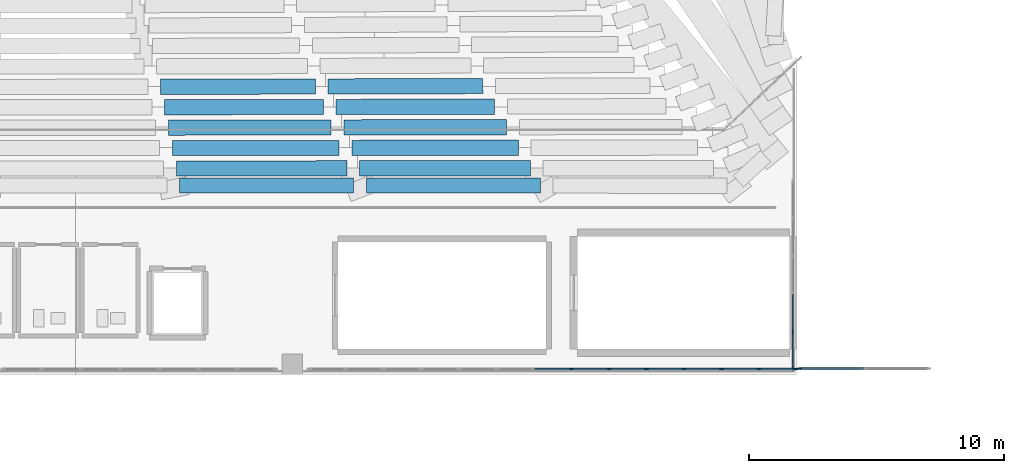
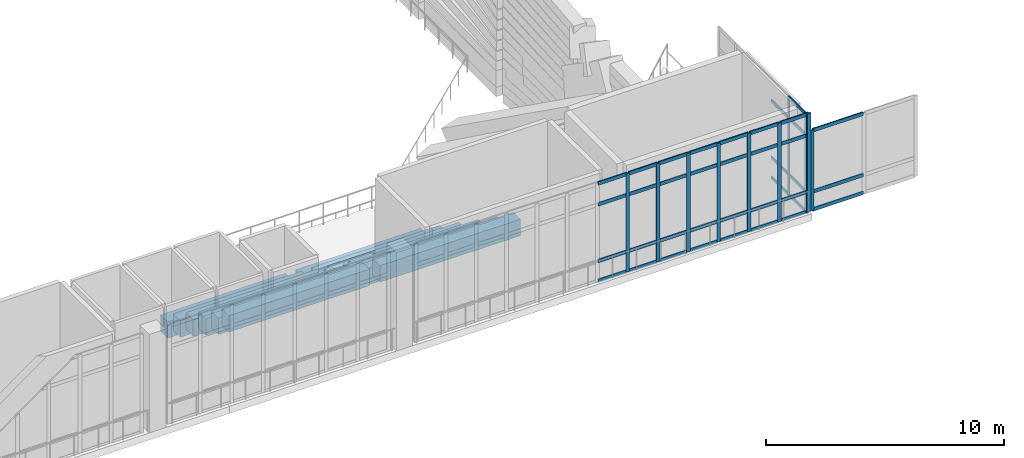
# One storey, part 13 of 55: 48 members, 12 beams, 3 elements without a shape of their own.
"""IFC4 building model written with IfcOpenShell, lengths in metres."""

from ifc_helpers import new_model, si_unit, derived_unit, direction, frame, origin, origin_2d, place, context, subcontext, project, spatial, rectangle, extrude, material, layer, layer_set, material_profile, profile_set, type_object, element, aggregate, save


model = new_model("IFC4")

# Units and contexts
model_context = context("Model", 3, precision=1e-05, world=origin(), true_north=direction((0.0, 1.0)))
body_context = subcontext(model_context, "Body", "Model", "MODEL_VIEW")
ifc_project = project(units=[si_unit("LENGTHUNIT", "METRE"), si_unit("AREAUNIT", "SQUARE_METRE"), si_unit("VOLUMEUNIT", "CUBIC_METRE"), si_unit("PLANEANGLEUNIT", "RADIAN"), si_unit("MASSUNIT", "GRAM", prefix="KILO"), derived_unit("THERMALTRANSMITTANCEUNIT", [(si_unit("MASSUNIT", "GRAM", prefix="KILO"), 1), (si_unit("TIMEUNIT", "SECOND"), -3), (si_unit("THERMODYNAMICTEMPERATUREUNIT", "KELVIN"), -1)])], contexts=[model_context])

# Site, building, storey
site_placement = place(None, origin())
site = spatial("IfcSite", under=ifc_project, at=site_placement, CompositionType="ELEMENT")
building_placement = place(site_placement, origin())
building = spatial("IfcBuilding", under=site, at=building_placement, Name="Valcora Ridge Arena", CompositionType="ELEMENT")
storey_placement = place(building_placement, frame((0.0, 0.0, 21.0)))
storey = spatial("IfcBuildingStorey", under=building, at=storey_placement, Name="L04", CompositionType="ELEMENT", Elevation=21.0)

# Beams
ifc_material_1 = material(Name="Concrete C40/50", Category="concrete")
ifc_material_profile_1 = material_profile(ifc_material_1, rectangle(XDim=0.60009765625, YDim=0.85009765625, at=origin_2d()), Name="RC 600x850")
ifc_profile_set_1 = profile_set([ifc_material_profile_1], Name="Concrete C40/50")
beam_type = type_object("IfcBeamType", Name="TY-BEAM-B-RC600-X", PredefinedType="BEAM", material=ifc_profile_set_1)
beam_1_placement = place(storey_placement, frame((64.831298828125, 31.28564453125, -3.905029296875), z_axis=(0.999997982127, 0.002008915549, 0.0), x_axis=(-0.002008915549, 0.999997982127, 0.0)))
element("IfcBeam", 1, at=beam_1_placement, inside=storey, type_object=beam_type, Name="B-RC600-X BEM-RU3-B-RC600-X-0373", PredefinedType="BEAM", context=body_context, shape_type="SweptSolid", body=[
    extrude(rectangle(XDim=0.60009765625, YDim=0.85009765625, at=origin_2d()), origin(), (0.0, 0.0, 1.0), 6.076416015625),
])
beam_2_placement = place(storey_placement, frame((71.40771484375, 31.299072265625, -3.905029296875), z_axis=(0.999996581566, 0.002614738236, 0.0), x_axis=(-0.002614738236, 0.999996581566, 0.0)))
element("IfcBeam", 2, at=beam_2_placement, inside=storey, type_object=beam_type, Name="B-RC600-X BEM-RU3-B-RC600-X-0374", PredefinedType="BEAM", context=body_context, shape_type="SweptSolid", body=[
    extrude(rectangle(XDim=0.60009765625, YDim=0.85009765625, at=origin_2d()), origin(), (0.0, 0.0, 1.0), 6.069091796875),
])
beam_3_placement = place(storey_placement, frame((64.98583984375, 30.484619140625, -3.425048828125), z_axis=(0.999998772211, 0.001567027771, 0.0), x_axis=(-0.001567027771, 0.999998772211, 0.0)))
element("IfcBeam", 3, at=beam_3_placement, inside=storey, type_object=beam_type, Name="B-RC600-X BEM-RU3-B-RC600-X-0403", PredefinedType="BEAM", context=body_context, shape_type="SweptSolid", body=[
    extrude(rectangle(XDim=0.60009765625, YDim=0.85009765625, at=origin_2d()), origin(), (0.0, 0.0, 1.0), 6.23193359375),
])
beam_4_placement = place(storey_placement, frame((71.7177734375, 30.4951171875, -3.425048828125), z_axis=(0.999997920969, 0.002039131481, 0.0), x_axis=(-0.002039131481, 0.999997920969, 0.0)))
element("IfcBeam", 4, at=beam_4_placement, inside=storey, type_object=beam_type, Name="B-RC600-X BEM-RU3-B-RC600-X-0404", PredefinedType="BEAM", context=body_context, shape_type="SweptSolid", body=[
    extrude(rectangle(XDim=0.60009765625, YDim=0.85009765625, at=origin_2d()), origin(), (0.0, 0.0, 1.0), 6.225830078125),
])
beam_5_placement = place(storey_placement, frame((65.140380859375, 29.683349609375, -2.945068359375), z_axis=(0.999999342589, 0.00114665674, 0.0), x_axis=(-0.00114665674, 0.999999342589, 0.0)))
element("IfcBeam", 5, at=beam_5_placement, inside=storey, type_object=beam_type, Name="B-RC600-X BEM-RU3-B-RC600-X-0435", PredefinedType="BEAM", context=body_context, shape_type="SweptSolid", body=[
    extrude(rectangle(XDim=0.60009765625, YDim=0.85009765625, at=origin_2d()), origin(), (0.0, 0.0, 1.0), 6.387451171875),
])
beam_6_placement = place(storey_placement, frame((72.02783203125, 29.69140625, -2.945068359375), z_axis=(0.999998887361, 0.001491736406, 0.0), x_axis=(-0.001491736406, 0.999998887361, 0.0)))
element("IfcBeam", 6, at=beam_6_placement, inside=storey, type_object=beam_type, Name="B-RC600-X BEM-RU3-B-RC600-X-0436", PredefinedType="BEAM", context=body_context, shape_type="SweptSolid", body=[
    extrude(rectangle(XDim=0.60009765625, YDim=0.85009765625, at=origin_2d()), origin(), (0.0, 0.0, 1.0), 6.3828125),
])
beam_7_placement = place(storey_placement, frame((65.294921875, 28.882080078125, -2.465087890625), z_axis=(0.999999693, 0.000783581849, 0.0), x_axis=(-0.000783581849, 0.999999693, 0.0)))
element("IfcBeam", 7, at=beam_7_placement, inside=storey, type_object=beam_type, Name="B-RC600-X BEM-RU3-B-RC600-X-0467", PredefinedType="BEAM", context=body_context, shape_type="SweptSolid", body=[
    extrude(rectangle(XDim=0.60009765625, YDim=0.85009765625, at=origin_2d()), origin(), (0.0, 0.0, 1.0), 6.54296875),
])
beam_8_placement = place(storey_placement, frame((72.337890625, 28.887451171875, -2.465087890625), z_axis=(0.999999528949, 0.00097061962, 0.0), x_axis=(-0.00097061962, 0.999999528949, 0.0)))
element("IfcBeam", 8, at=beam_8_placement, inside=storey, type_object=beam_type, Name="B-RC600-X BEM-RU3-B-RC600-X-0468", PredefinedType="BEAM", context=body_context, shape_type="SweptSolid", body=[
    extrude(rectangle(XDim=0.60009765625, YDim=0.85009765625, at=origin_2d()), origin(), (0.0, 0.0, 1.0), 6.539794921875),
])
beam_9_placement = place(storey_placement, frame((65.449462890625, 28.0810546875, -1.985107421875), z_axis=(0.999999933575, 0.000364484595, 0.0), x_axis=(-0.000364484595, 0.999999933575, 0.0)))
element("IfcBeam", 9, at=beam_9_placement, inside=storey, type_object=beam_type, Name="B-RC600-X BEM-RU3-B-RC600-X-0499", PredefinedType="BEAM", context=body_context, shape_type="SweptSolid", body=[
    extrude(rectangle(XDim=0.60009765625, YDim=0.85009765625, at=origin_2d()), origin(), (0.0, 0.0, 1.0), 6.6982421875),
])
beam_10_placement = place(storey_placement, frame((72.647705078125, 28.083740234375, -1.985107421875), z_axis=(0.999999887702, 0.000473916319, 0.0), x_axis=(-0.000473916319, 0.999999887702, 0.0)))
element("IfcBeam", 10, at=beam_10_placement, inside=storey, type_object=beam_type, Name="B-RC600-X BEM-RU3-B-RC600-X-0500", PredefinedType="BEAM", context=body_context, shape_type="SweptSolid", body=[
    extrude(rectangle(XDim=0.60009765625, YDim=0.85009765625, at=origin_2d()), origin(), (0.0, 0.0, 1.0), 6.697021484375),
])
beam_11_placement = place(storey_placement, frame((65.578125, 27.41357421875, -1.5048828125), z_axis=(0.999999959099, -0.000286010499, 0.0), x_axis=(0.000286010499, 0.999999959099, 0.0)))
element("IfcBeam", 11, at=beam_11_placement, inside=storey, type_object=beam_type, Name="B-RC600-X BEM-RU3-B-RC600-X-0531", PredefinedType="BEAM", context=body_context, shape_type="SweptSolid", body=[
    extrude(rectangle(XDim=0.60009765625, YDim=0.85009765625, at=origin_2d()), origin(), (0.0, 0.0, 1.0), 6.828857421875),
])
beam_12_placement = place(storey_placement, frame((72.906982421875, 27.411376953125, -1.5048828125), z_axis=(0.999999922705, -0.000393180082, 0.0), x_axis=(0.000393180082, 0.999999922705, 0.0)))
element("IfcBeam", 12, at=beam_12_placement, inside=storey, type_object=beam_type, Name="B-RC600-X BEM-RU3-B-RC600-X-0532", PredefinedType="BEAM", context=body_context, shape_type="SweptSolid", body=[
    extrude(rectangle(XDim=0.60009765625, YDim=0.85009765625, at=origin_2d()), origin(), (0.0, 0.0, 1.0), 6.830322265625),
])

# Curtain wall, members
ifc_material_2 = material(Name="Anodised dark bronze architectural aluminium 6063-T6", Category="aluminium")
ifc_layer_1 = layer(ifc_material_2, 0.14990234375, Name="Anodised dark bronze architectural aluminium 6063-T6")
ifc_layer_set_1 = layer_set([ifc_layer_1], Name="Anodised dark bronze architectural aluminium 6063-T6")
curtain_wall_type_1 = type_object("IfcCurtainWallType", Name="TY-CURTAINWALL-CW-V1-EAST-074X51", PredefinedType="NOTDEFINED", material=ifc_layer_set_1)
curtain_wall_1_placement = place(storey_placement, origin())
curtain_wall_1 = element("IfcCurtainWall", 13, at=curtain_wall_1_placement, inside=storey, type_object=curtain_wall_type_1, Name="CW-V1-EAST-074X51 CW-0161", PredefinedType="NOTDEFINED")
ifc_material_profile_2 = material_profile(ifc_material_2, rectangle(XDim=0.050048828125, YDim=0.14990234375, at=origin_2d()), Name="ALU MULLION 50x150")
ifc_profile_set_2 = profile_set([ifc_material_profile_2], Name="Anodised dark bronze architectural aluminium 6063-T6")
member_type_1 = type_object("IfcMemberType", Name="TY-MEM-CWM-50x150", PredefinedType="MULLION", material=ifc_profile_set_2)
member_1_placement = place(storey_placement, frame((89.64990234375, 20.22509765625, 0.0), z_axis=(0.0, 0.0, 1.0), x_axis=(-1.0, 0.0, 0.0)))
member_1 = element("IfcMember", 14, at=member_1_placement, type_object=member_type_1, Name="CW-0161/CWM-50x150/M00", PredefinedType="MULLION", context=body_context, shape_type="SweptSolid", body=[
    extrude(rectangle(XDim=0.050048828125, YDim=0.14990234375, at=origin_2d()), origin(), (0.0, 0.0, 1.0), 5.06005859375),
])
member_2_placement = place(storey_placement, frame((89.64990234375, 21.679931640625, 0.0), z_axis=(0.0, 0.0, 1.0), x_axis=(-1.0, 0.0, 0.0)))
member_2 = element("IfcMember", 15, at=member_2_placement, type_object=member_type_1, Name="CW-0161/CWM-50x150/M01", PredefinedType="MULLION", context=body_context, shape_type="SweptSolid", body=[
    extrude(rectangle(XDim=0.050048828125, YDim=0.14990234375, at=origin_2d()), origin(), (0.0, 0.0, 1.0), 5.06005859375),
])

ifc_layer_2 = layer(ifc_material_2, 0.179931640625, Name="Anodised dark bronze architectural aluminium 6063-T6")
ifc_layer_set_2 = layer_set([ifc_layer_2], Name="Anodised dark bronze architectural aluminium 6063-T6")
curtain_wall_type_2 = type_object("IfcCurtainWallType", Name="TY-CURTAINWALL-CW-V1-GOTH-192X51", PredefinedType="NOTDEFINED", material=ifc_layer_set_2)
curtain_wall_2_placement = place(storey_placement, origin())
curtain_wall_2 = element("IfcCurtainWall", 16, at=curtain_wall_2_placement, inside=storey, type_object=curtain_wall_type_2, Name="CW-V1-GOTH-192X51 CW-0156", PredefinedType="NOTDEFINED")
ifc_material_profile_3 = material_profile(ifc_material_2, rectangle(XDim=0.06005859375, YDim=0.179931640625, at=origin_2d()), Name="ALU MULLION 60x180")
ifc_profile_set_3 = profile_set([ifc_material_profile_3], Name="Anodised dark bronze architectural aluminium 6063-T6")
member_type_2 = type_object("IfcMemberType", Name="TY-MEM-CWM-60x180", PredefinedType="MULLION", material=ifc_profile_set_3)
member_3_placement = place(storey_placement, frame((80.956787109375, 20.199951171875, 0.0), z_axis=(0.0, 0.0, 1.0), x_axis=(0.0, 1.0, 0.0)))
member_3 = element("IfcMember", 17, at=member_3_placement, type_object=member_type_2, Name="CW-0156/CWM-60x180/M07", PredefinedType="MULLION", context=body_context, shape_type="SweptSolid", body=[
    extrude(rectangle(XDim=0.06005859375, YDim=0.179931640625, at=origin_2d()), origin(), (0.0, 0.0, 1.0), 5.06005859375),
])
member_4_placement = place(storey_placement, frame((82.430908203125, 20.199951171875, 0.0), z_axis=(0.0, 0.0, 1.0), x_axis=(0.0, 1.0, 0.0)))
member_4 = element("IfcMember", 18, at=member_4_placement, type_object=member_type_2, Name="CW-0156/CWM-60x180/M08", PredefinedType="MULLION", context=body_context, shape_type="SweptSolid", body=[
    extrude(rectangle(XDim=0.06005859375, YDim=0.179931640625, at=origin_2d()), origin(), (0.0, 0.0, 1.0), 5.06005859375),
])
member_5_placement = place(storey_placement, frame((83.904541015625, 20.199951171875, 0.0), z_axis=(0.0, 0.0, 1.0), x_axis=(0.0, 1.0, 0.0)))
member_5 = element("IfcMember", 19, at=member_5_placement, type_object=member_type_2, Name="CW-0156/CWM-60x180/M09", PredefinedType="MULLION", context=body_context, shape_type="SweptSolid", body=[
    extrude(rectangle(XDim=0.06005859375, YDim=0.179931640625, at=origin_2d()), origin(), (0.0, 0.0, 1.0), 5.06005859375),
])
member_6_placement = place(storey_placement, frame((85.37841796875, 20.199951171875, 0.0), z_axis=(0.0, 0.0, 1.0), x_axis=(0.0, 1.0, 0.0)))
member_6 = element("IfcMember", 20, at=member_6_placement, type_object=member_type_2, Name="CW-0156/CWM-60x180/M10", PredefinedType="MULLION", context=body_context, shape_type="SweptSolid", body=[
    extrude(rectangle(XDim=0.06005859375, YDim=0.179931640625, at=origin_2d()), origin(), (0.0, 0.0, 1.0), 5.06005859375),
])
member_7_placement = place(storey_placement, frame((86.852294921875, 20.199951171875, 0.0), z_axis=(0.0, 0.0, 1.0), x_axis=(0.0, 1.0, 0.0)))
member_7 = element("IfcMember", 21, at=member_7_placement, type_object=member_type_2, Name="CW-0156/CWM-60x180/M11", PredefinedType="MULLION", context=body_context, shape_type="SweptSolid", body=[
    extrude(rectangle(XDim=0.06005859375, YDim=0.179931640625, at=origin_2d()), origin(), (0.0, 0.0, 1.0), 5.06005859375),
])
member_8_placement = place(storey_placement, frame((88.326171875, 20.199951171875, 0.0), z_axis=(0.0, 0.0, 1.0), x_axis=(0.0, 1.0, 0.0)))
member_8 = element("IfcMember", 22, at=member_8_placement, type_object=member_type_2, Name="CW-0156/CWM-60x180/M12", PredefinedType="MULLION", context=body_context, shape_type="SweptSolid", body=[
    extrude(rectangle(XDim=0.06005859375, YDim=0.179931640625, at=origin_2d()), origin(), (0.0, 0.0, 1.0), 5.06005859375),
])
member_9_placement = place(storey_placement, frame((89.77001953125, 20.199951171875, 0.0), z_axis=(0.0, 0.0, 1.0), x_axis=(0.0, 1.0, 0.0)))
member_9 = element("IfcMember", 23, at=member_9_placement, type_object=member_type_2, Name="CW-0156/CWM-60x180/M13", PredefinedType="MULLION", context=body_context, shape_type="SweptSolid", body=[
    extrude(rectangle(XDim=0.06005859375, YDim=0.179931640625, at=origin_2d()), origin(), (0.0, 0.0, 1.0), 5.06005859375),
])

# Curtain wall, member
ifc_layer_3 = layer(ifc_material_2, 0.179931640625, Name="Anodised dark bronze architectural aluminium 6063-T6")
ifc_layer_set_3 = layer_set([ifc_layer_3], Name="Anodised dark bronze architectural aluminium 6063-T6")
curtain_wall_type_3 = type_object("IfcCurtainWallType", Name="TY-CURTAINWALL-CW-V1-TYMPS-051X41", PredefinedType="NOTDEFINED", material=ifc_layer_set_3)
curtain_wall_3_placement = place(storey_placement, origin())
curtain_wall_3 = element("IfcCurtainWall", 24, at=curtain_wall_3_placement, inside=storey, type_object=curtain_wall_type_3, Name="CW-V1-TYMPS-051X41 CW-0180", PredefinedType="NOTDEFINED")
member_10_placement = place(storey_placement, frame((89.929931640625, 20.219970703125, 0.0), z_axis=(0.0, 0.0, 1.0), x_axis=(0.0, 1.0, 0.0)))
member_10 = element("IfcMember", 25, at=member_10_placement, type_object=member_type_2, Name="CW-0180/CWM-60x180/M00", PredefinedType="MULLION", context=body_context, shape_type="SweptSolid", body=[
    extrude(rectangle(XDim=0.06005859375, YDim=0.179931640625, at=origin_2d()), origin(), (0.0, 0.0, 1.0), 4.12548828125),
])

# Member
ifc_material_profile_4 = material_profile(ifc_material_2, rectangle(XDim=0.050048828125, YDim=0.14990234375, at=origin_2d()), Name="ALU TRANSOM 50x150")
ifc_profile_set_4 = profile_set([ifc_material_profile_4], Name="Anodised dark bronze architectural aluminium 6063-T6")
member_type_3 = type_object("IfcMemberType", Name="TY-MEM-CWT-50x150", PredefinedType="USERDEFINED", material=ifc_profile_set_4)
member_11_placement = place(storey_placement, frame((89.64990234375, 20.25, 0.02490234375), z_axis=(0.0, 1.0, 0.0), x_axis=(-1.0, 0.0, 0.0)))
member_11 = element("IfcMember", 26, at=member_11_placement, type_object=member_type_3, Name="CW-0161/CWT-50x150/T00-00", ObjectType="TRANSOM", PredefinedType="USERDEFINED", context=body_context, shape_type="SweptSolid", body=[
    extrude(rectangle(XDim=0.050048828125, YDim=0.14990234375, at=origin_2d()), origin(), (0.0, 0.0, 1.0), 1.405029296875),
])

member_12_placement = place(storey_placement, frame((89.64990234375, 20.25, 1.050048828125), z_axis=(0.0, 1.0, 0.0), x_axis=(-1.0, 0.0, 0.0)))
member_12 = element("IfcMember", 27, at=member_12_placement, type_object=member_type_3, Name="CW-0161/CWT-50x150/T00-01", ObjectType="TRANSOM", PredefinedType="USERDEFINED", context=body_context, shape_type="SweptSolid", body=[
    extrude(rectangle(XDim=0.050048828125, YDim=0.14990234375, at=origin_2d()), origin(), (0.0, 0.0, 1.0), 1.405029296875),
])

member_13_placement = place(storey_placement, frame((89.64990234375, 20.25, 3.9599609375), z_axis=(0.0, 1.0, 0.0), x_axis=(-1.0, 0.0, 0.0)))
member_13 = element("IfcMember", 28, at=member_13_placement, type_object=member_type_3, Name="CW-0161/CWT-50x150/T00-02", ObjectType="TRANSOM", PredefinedType="USERDEFINED", context=body_context, shape_type="SweptSolid", body=[
    extrude(rectangle(XDim=0.050048828125, YDim=0.14990234375, at=origin_2d()), origin(), (0.0, 0.0, 1.0), 1.405029296875),
])

member_14_placement = place(storey_placement, frame((89.64990234375, 20.25, 5.034912109375), z_axis=(0.0, 1.0, 0.0), x_axis=(-1.0, 0.0, 0.0)))
member_14 = element("IfcMember", 29, at=member_14_placement, type_object=member_type_3, Name="CW-0161/CWT-50x150/T00-03", ObjectType="TRANSOM", PredefinedType="USERDEFINED", context=body_context, shape_type="SweptSolid", body=[
    extrude(rectangle(XDim=0.050048828125, YDim=0.14990234375, at=origin_2d()), origin(), (0.0, 0.0, 1.0), 1.405029296875),
])

member_15_placement = place(storey_placement, frame((89.64990234375, 21.705078125, 0.02490234375), z_axis=(0.0, 1.0, 0.0), x_axis=(-1.0, 0.0, 0.0)))
member_15 = element("IfcMember", 30, at=member_15_placement, type_object=member_type_3, Name="CW-0161/CWT-50x150/T01-00", ObjectType="TRANSOM", PredefinedType="USERDEFINED", context=body_context, shape_type="SweptSolid", body=[
    extrude(rectangle(XDim=0.050048828125, YDim=0.14990234375, at=origin_2d()), origin(), (0.0, 0.0, 1.0), 1.429931640625),
])

member_16_placement = place(storey_placement, frame((89.64990234375, 21.705078125, 1.050048828125), z_axis=(0.0, 1.0, 0.0), x_axis=(-1.0, 0.0, 0.0)))
member_16 = element("IfcMember", 31, at=member_16_placement, type_object=member_type_3, Name="CW-0161/CWT-50x150/T01-01", ObjectType="TRANSOM", PredefinedType="USERDEFINED", context=body_context, shape_type="SweptSolid", body=[
    extrude(rectangle(XDim=0.050048828125, YDim=0.14990234375, at=origin_2d()), origin(), (0.0, 0.0, 1.0), 1.429931640625),
])

member_17_placement = place(storey_placement, frame((89.64990234375, 21.705078125, 3.9599609375), z_axis=(0.0, 1.0, 0.0), x_axis=(-1.0, 0.0, 0.0)))
member_17 = element("IfcMember", 32, at=member_17_placement, type_object=member_type_3, Name="CW-0161/CWT-50x150/T01-02", ObjectType="TRANSOM", PredefinedType="USERDEFINED", context=body_context, shape_type="SweptSolid", body=[
    extrude(rectangle(XDim=0.050048828125, YDim=0.14990234375, at=origin_2d()), origin(), (0.0, 0.0, 1.0), 1.429931640625),
])

aggregate(curtain_wall_1, [member_1, member_2, member_11, member_12, member_13, member_14, member_15, member_16, member_17])

ifc_material_profile_5 = material_profile(ifc_material_2, rectangle(XDim=0.06005859375, YDim=0.179931640625, at=origin_2d()), Name="ALU TRANSOM 60x180")
ifc_profile_set_5 = profile_set([ifc_material_profile_5], Name="Anodised dark bronze architectural aluminium 6063-T6")
member_type_4 = type_object("IfcMemberType", Name="TY-MEM-CWT-60x180", PredefinedType="USERDEFINED", material=ifc_profile_set_5)
member_18_placement = place(storey_placement, frame((79.512939453125, 20.199951171875, 0.030029296875), z_axis=(1.0, 0.0, 0.0), x_axis=(0.0, 1.0, 0.0)))
member_18 = element("IfcMember", 33, at=member_18_placement, type_object=member_type_4, Name="CW-0156/CWT-60x180/T06-00", ObjectType="TRANSOM", PredefinedType="USERDEFINED", context=body_context, shape_type="SweptSolid", body=[
    extrude(rectangle(XDim=0.06005859375, YDim=0.179931640625, at=origin_2d()), origin(), (0.0, 0.0, 1.0), 1.4140625),
])

member_19_placement = place(storey_placement, frame((79.512939453125, 20.199951171875, 1.050048828125), z_axis=(1.0, 0.0, 0.0), x_axis=(0.0, 1.0, 0.0)))
member_19 = element("IfcMember", 34, at=member_19_placement, type_object=member_type_4, Name="CW-0156/CWT-60x180/T06-01", ObjectType="TRANSOM", PredefinedType="USERDEFINED", context=body_context, shape_type="SweptSolid", body=[
    extrude(rectangle(XDim=0.06005859375, YDim=0.179931640625, at=origin_2d()), origin(), (0.0, 0.0, 1.0), 1.4140625),
])

member_20_placement = place(storey_placement, frame((79.512939453125, 20.199951171875, 3.9599609375), z_axis=(1.0, 0.0, 0.0), x_axis=(0.0, 1.0, 0.0)))
member_20 = element("IfcMember", 35, at=member_20_placement, type_object=member_type_4, Name="CW-0156/CWT-60x180/T06-02", ObjectType="TRANSOM", PredefinedType="USERDEFINED", context=body_context, shape_type="SweptSolid", body=[
    extrude(rectangle(XDim=0.06005859375, YDim=0.179931640625, at=origin_2d()), origin(), (0.0, 0.0, 1.0), 1.4140625),
])

member_21_placement = place(storey_placement, frame((79.512939453125, 20.199951171875, 5.030029296875), z_axis=(1.0, 0.0, 0.0), x_axis=(0.0, 1.0, 0.0)))
member_21 = element("IfcMember", 36, at=member_21_placement, type_object=member_type_4, Name="CW-0156/CWT-60x180/T06-03", ObjectType="TRANSOM", PredefinedType="USERDEFINED", context=body_context, shape_type="SweptSolid", body=[
    extrude(rectangle(XDim=0.06005859375, YDim=0.179931640625, at=origin_2d()), origin(), (0.0, 0.0, 1.0), 1.4140625),
])

member_22_placement = place(storey_placement, frame((80.987060546875, 20.199951171875, 0.030029296875), z_axis=(1.0, 0.0, 0.0), x_axis=(0.0, 1.0, 0.0)))
member_22 = element("IfcMember", 37, at=member_22_placement, type_object=member_type_4, Name="CW-0156/CWT-60x180/T07-00", ObjectType="TRANSOM", PredefinedType="USERDEFINED", context=body_context, shape_type="SweptSolid", body=[
    extrude(rectangle(XDim=0.06005859375, YDim=0.179931640625, at=origin_2d()), origin(), (0.0, 0.0, 1.0), 1.413818359375),
])

member_23_placement = place(storey_placement, frame((80.987060546875, 20.199951171875, 1.050048828125), z_axis=(1.0, 0.0, 0.0), x_axis=(0.0, 1.0, 0.0)))
member_23 = element("IfcMember", 38, at=member_23_placement, type_object=member_type_4, Name="CW-0156/CWT-60x180/T07-01", ObjectType="TRANSOM", PredefinedType="USERDEFINED", context=body_context, shape_type="SweptSolid", body=[
    extrude(rectangle(XDim=0.06005859375, YDim=0.179931640625, at=origin_2d()), origin(), (0.0, 0.0, 1.0), 1.413818359375),
])

member_24_placement = place(storey_placement, frame((80.987060546875, 20.199951171875, 3.9599609375), z_axis=(1.0, 0.0, 0.0), x_axis=(0.0, 1.0, 0.0)))
member_24 = element("IfcMember", 39, at=member_24_placement, type_object=member_type_4, Name="CW-0156/CWT-60x180/T07-02", ObjectType="TRANSOM", PredefinedType="USERDEFINED", context=body_context, shape_type="SweptSolid", body=[
    extrude(rectangle(XDim=0.06005859375, YDim=0.179931640625, at=origin_2d()), origin(), (0.0, 0.0, 1.0), 1.413818359375),
])

member_25_placement = place(storey_placement, frame((80.987060546875, 20.199951171875, 5.030029296875), z_axis=(1.0, 0.0, 0.0), x_axis=(0.0, 1.0, 0.0)))
member_25 = element("IfcMember", 40, at=member_25_placement, type_object=member_type_4, Name="CW-0156/CWT-60x180/T07-03", ObjectType="TRANSOM", PredefinedType="USERDEFINED", context=body_context, shape_type="SweptSolid", body=[
    extrude(rectangle(XDim=0.06005859375, YDim=0.179931640625, at=origin_2d()), origin(), (0.0, 0.0, 1.0), 1.413818359375),
])

member_26_placement = place(storey_placement, frame((82.4609375, 20.199951171875, 0.030029296875), z_axis=(1.0, 0.0, 0.0), x_axis=(0.0, 1.0, 0.0)))
member_26 = element("IfcMember", 41, at=member_26_placement, type_object=member_type_4, Name="CW-0156/CWT-60x180/T08-00", ObjectType="TRANSOM", PredefinedType="USERDEFINED", context=body_context, shape_type="SweptSolid", body=[
    extrude(rectangle(XDim=0.06005859375, YDim=0.179931640625, at=origin_2d()), origin(), (0.0, 0.0, 1.0), 1.4140625),
])

member_27_placement = place(storey_placement, frame((82.4609375, 20.199951171875, 1.050048828125), z_axis=(1.0, 0.0, 0.0), x_axis=(0.0, 1.0, 0.0)))
member_27 = element("IfcMember", 42, at=member_27_placement, type_object=member_type_4, Name="CW-0156/CWT-60x180/T08-01", ObjectType="TRANSOM", PredefinedType="USERDEFINED", context=body_context, shape_type="SweptSolid", body=[
    extrude(rectangle(XDim=0.06005859375, YDim=0.179931640625, at=origin_2d()), origin(), (0.0, 0.0, 1.0), 1.4140625),
])

member_28_placement = place(storey_placement, frame((82.4609375, 20.199951171875, 3.9599609375), z_axis=(1.0, 0.0, 0.0), x_axis=(0.0, 1.0, 0.0)))
member_28 = element("IfcMember", 43, at=member_28_placement, type_object=member_type_4, Name="CW-0156/CWT-60x180/T08-02", ObjectType="TRANSOM", PredefinedType="USERDEFINED", context=body_context, shape_type="SweptSolid", body=[
    extrude(rectangle(XDim=0.06005859375, YDim=0.179931640625, at=origin_2d()), origin(), (0.0, 0.0, 1.0), 1.4140625),
])

member_29_placement = place(storey_placement, frame((82.4609375, 20.199951171875, 5.030029296875), z_axis=(1.0, 0.0, 0.0), x_axis=(0.0, 1.0, 0.0)))
member_29 = element("IfcMember", 44, at=member_29_placement, type_object=member_type_4, Name="CW-0156/CWT-60x180/T08-03", ObjectType="TRANSOM", PredefinedType="USERDEFINED", context=body_context, shape_type="SweptSolid", body=[
    extrude(rectangle(XDim=0.06005859375, YDim=0.179931640625, at=origin_2d()), origin(), (0.0, 0.0, 1.0), 1.4140625),
])

member_30_placement = place(storey_placement, frame((83.93505859375, 20.199951171875, 0.030029296875), z_axis=(1.0, 0.0, 0.0), x_axis=(0.0, 1.0, 0.0)))
member_30 = element("IfcMember", 45, at=member_30_placement, type_object=member_type_4, Name="CW-0156/CWT-60x180/T09-00", ObjectType="TRANSOM", PredefinedType="USERDEFINED", context=body_context, shape_type="SweptSolid", body=[
    extrude(rectangle(XDim=0.06005859375, YDim=0.179931640625, at=origin_2d()), origin(), (0.0, 0.0, 1.0), 1.412841796875),
])

member_31_placement = place(storey_placement, frame((83.93505859375, 20.199951171875, 1.050048828125), z_axis=(1.0, 0.0, 0.0), x_axis=(0.0, 1.0, 0.0)))
member_31 = element("IfcMember", 46, at=member_31_placement, type_object=member_type_4, Name="CW-0156/CWT-60x180/T09-01", ObjectType="TRANSOM", PredefinedType="USERDEFINED", context=body_context, shape_type="SweptSolid", body=[
    extrude(rectangle(XDim=0.06005859375, YDim=0.179931640625, at=origin_2d()), origin(), (0.0, 0.0, 1.0), 1.412841796875),
])

member_32_placement = place(storey_placement, frame((83.93505859375, 20.199951171875, 3.9599609375), z_axis=(1.0, 0.0, 0.0), x_axis=(0.0, 1.0, 0.0)))
member_32 = element("IfcMember", 47, at=member_32_placement, type_object=member_type_4, Name="CW-0156/CWT-60x180/T09-02", ObjectType="TRANSOM", PredefinedType="USERDEFINED", context=body_context, shape_type="SweptSolid", body=[
    extrude(rectangle(XDim=0.06005859375, YDim=0.179931640625, at=origin_2d()), origin(), (0.0, 0.0, 1.0), 1.412841796875),
])

member_33_placement = place(storey_placement, frame((83.93505859375, 20.199951171875, 5.030029296875), z_axis=(1.0, 0.0, 0.0), x_axis=(0.0, 1.0, 0.0)))
member_33 = element("IfcMember", 48, at=member_33_placement, type_object=member_type_4, Name="CW-0156/CWT-60x180/T09-03", ObjectType="TRANSOM", PredefinedType="USERDEFINED", context=body_context, shape_type="SweptSolid", body=[
    extrude(rectangle(XDim=0.06005859375, YDim=0.179931640625, at=origin_2d()), origin(), (0.0, 0.0, 1.0), 1.412841796875),
])

member_34_placement = place(storey_placement, frame((85.407958984375, 20.199951171875, 0.030029296875), z_axis=(1.0, 0.0, 0.0), x_axis=(0.0, 1.0, 0.0)))
member_34 = element("IfcMember", 49, at=member_34_placement, type_object=member_type_4, Name="CW-0156/CWT-60x180/T10-00", ObjectType="TRANSOM", PredefinedType="USERDEFINED", context=body_context, shape_type="SweptSolid", body=[
    extrude(rectangle(XDim=0.06005859375, YDim=0.179931640625, at=origin_2d()), origin(), (0.0, 0.0, 1.0), 1.4140625),
])

member_35_placement = place(storey_placement, frame((85.407958984375, 20.199951171875, 1.050048828125), z_axis=(1.0, 0.0, 0.0), x_axis=(0.0, 1.0, 0.0)))
member_35 = element("IfcMember", 50, at=member_35_placement, type_object=member_type_4, Name="CW-0156/CWT-60x180/T10-01", ObjectType="TRANSOM", PredefinedType="USERDEFINED", context=body_context, shape_type="SweptSolid", body=[
    extrude(rectangle(XDim=0.06005859375, YDim=0.179931640625, at=origin_2d()), origin(), (0.0, 0.0, 1.0), 1.4140625),
])

member_36_placement = place(storey_placement, frame((85.407958984375, 20.199951171875, 3.9599609375), z_axis=(1.0, 0.0, 0.0), x_axis=(0.0, 1.0, 0.0)))
member_36 = element("IfcMember", 51, at=member_36_placement, type_object=member_type_4, Name="CW-0156/CWT-60x180/T10-02", ObjectType="TRANSOM", PredefinedType="USERDEFINED", context=body_context, shape_type="SweptSolid", body=[
    extrude(rectangle(XDim=0.06005859375, YDim=0.179931640625, at=origin_2d()), origin(), (0.0, 0.0, 1.0), 1.4140625),
])

member_37_placement = place(storey_placement, frame((85.407958984375, 20.199951171875, 5.030029296875), z_axis=(1.0, 0.0, 0.0), x_axis=(0.0, 1.0, 0.0)))
member_37 = element("IfcMember", 52, at=member_37_placement, type_object=member_type_4, Name="CW-0156/CWT-60x180/T10-03", ObjectType="TRANSOM", PredefinedType="USERDEFINED", context=body_context, shape_type="SweptSolid", body=[
    extrude(rectangle(XDim=0.06005859375, YDim=0.179931640625, at=origin_2d()), origin(), (0.0, 0.0, 1.0), 1.4140625),
])

member_38_placement = place(storey_placement, frame((86.882080078125, 20.199951171875, 0.030029296875), z_axis=(1.0, 0.0, 0.0), x_axis=(0.0, 1.0, 0.0)))
member_38 = element("IfcMember", 53, at=member_38_placement, type_object=member_type_4, Name="CW-0156/CWT-60x180/T11-00", ObjectType="TRANSOM", PredefinedType="USERDEFINED", context=body_context, shape_type="SweptSolid", body=[
    extrude(rectangle(XDim=0.06005859375, YDim=0.179931640625, at=origin_2d()), origin(), (0.0, 0.0, 1.0), 1.413818359375),
])

member_39_placement = place(storey_placement, frame((86.882080078125, 20.199951171875, 1.050048828125), z_axis=(1.0, 0.0, 0.0), x_axis=(0.0, 1.0, 0.0)))
member_39 = element("IfcMember", 54, at=member_39_placement, type_object=member_type_4, Name="CW-0156/CWT-60x180/T11-01", ObjectType="TRANSOM", PredefinedType="USERDEFINED", context=body_context, shape_type="SweptSolid", body=[
    extrude(rectangle(XDim=0.06005859375, YDim=0.179931640625, at=origin_2d()), origin(), (0.0, 0.0, 1.0), 1.413818359375),
])

member_40_placement = place(storey_placement, frame((86.882080078125, 20.199951171875, 3.9599609375), z_axis=(1.0, 0.0, 0.0), x_axis=(0.0, 1.0, 0.0)))
member_40 = element("IfcMember", 55, at=member_40_placement, type_object=member_type_4, Name="CW-0156/CWT-60x180/T11-02", ObjectType="TRANSOM", PredefinedType="USERDEFINED", context=body_context, shape_type="SweptSolid", body=[
    extrude(rectangle(XDim=0.06005859375, YDim=0.179931640625, at=origin_2d()), origin(), (0.0, 0.0, 1.0), 1.413818359375),
])

member_41_placement = place(storey_placement, frame((86.882080078125, 20.199951171875, 5.030029296875), z_axis=(1.0, 0.0, 0.0), x_axis=(0.0, 1.0, 0.0)))
member_41 = element("IfcMember", 56, at=member_41_placement, type_object=member_type_4, Name="CW-0156/CWT-60x180/T11-03", ObjectType="TRANSOM", PredefinedType="USERDEFINED", context=body_context, shape_type="SweptSolid", body=[
    extrude(rectangle(XDim=0.06005859375, YDim=0.179931640625, at=origin_2d()), origin(), (0.0, 0.0, 1.0), 1.413818359375),
])

member_42_placement = place(storey_placement, frame((88.35595703125, 20.199951171875, 0.030029296875), z_axis=(1.0, 0.0, 0.0), x_axis=(0.0, 1.0, 0.0)))
member_42 = element("IfcMember", 57, at=member_42_placement, type_object=member_type_4, Name="CW-0156/CWT-60x180/T12-00", ObjectType="TRANSOM", PredefinedType="USERDEFINED", context=body_context, shape_type="SweptSolid", body=[
    extrude(rectangle(XDim=0.06005859375, YDim=0.179931640625, at=origin_2d()), origin(), (0.0, 0.0, 1.0), 1.384033203125),
])

member_43_placement = place(storey_placement, frame((88.35595703125, 20.199951171875, 1.050048828125), z_axis=(1.0, 0.0, 0.0), x_axis=(0.0, 1.0, 0.0)))
member_43 = element("IfcMember", 58, at=member_43_placement, type_object=member_type_4, Name="CW-0156/CWT-60x180/T12-01", ObjectType="TRANSOM", PredefinedType="USERDEFINED", context=body_context, shape_type="SweptSolid", body=[
    extrude(rectangle(XDim=0.06005859375, YDim=0.179931640625, at=origin_2d()), origin(), (0.0, 0.0, 1.0), 1.384033203125),
])

member_44_placement = place(storey_placement, frame((88.35595703125, 20.199951171875, 3.9599609375), z_axis=(1.0, 0.0, 0.0), x_axis=(0.0, 1.0, 0.0)))
member_44 = element("IfcMember", 59, at=member_44_placement, type_object=member_type_4, Name="CW-0156/CWT-60x180/T12-02", ObjectType="TRANSOM", PredefinedType="USERDEFINED", context=body_context, shape_type="SweptSolid", body=[
    extrude(rectangle(XDim=0.06005859375, YDim=0.179931640625, at=origin_2d()), origin(), (0.0, 0.0, 1.0), 1.384033203125),
])

member_45_placement = place(storey_placement, frame((88.35595703125, 20.199951171875, 5.030029296875), z_axis=(1.0, 0.0, 0.0), x_axis=(0.0, 1.0, 0.0)))
member_45 = element("IfcMember", 60, at=member_45_placement, type_object=member_type_4, Name="CW-0156/CWT-60x180/T12-03", ObjectType="TRANSOM", PredefinedType="USERDEFINED", context=body_context, shape_type="SweptSolid", body=[
    extrude(rectangle(XDim=0.06005859375, YDim=0.179931640625, at=origin_2d()), origin(), (0.0, 0.0, 1.0), 1.384033203125),
])

aggregate(curtain_wall_2, [member_3, member_4, member_5, member_6, member_7, member_8, member_9, member_18, member_19, member_20, member_21, member_22, member_23, member_24, member_25, member_26, member_27, member_28, member_29, member_30, member_31, member_32, member_33, member_34, member_35, member_36, member_37, member_38, member_39, member_40, member_41, member_42, member_43, member_44, member_45])

member_46_placement = place(storey_placement, frame((89.9599609375, 20.219970703125, 0.030029296875), z_axis=(1.0, 0.0, 0.0), x_axis=(0.0, 1.0, 0.0)))
member_46 = element("IfcMember", 61, at=member_46_placement, type_object=member_type_4, Name="CW-0180/CWT-60x180/T00-00", ObjectType="TRANSOM", PredefinedType="USERDEFINED", context=body_context, shape_type="SweptSolid", body=[
    extrude(rectangle(XDim=0.06005859375, YDim=0.179931640625, at=origin_2d()), origin(), (0.0, 0.0, 1.0), 2.4599609375),
])

member_47_placement = place(storey_placement, frame((89.9599609375, 20.219970703125, 0.949951171875), z_axis=(1.0, 0.0, 0.0), x_axis=(0.0, 1.0, 0.0)))
member_47 = element("IfcMember", 62, at=member_47_placement, type_object=member_type_4, Name="CW-0180/CWT-60x180/T00-01", ObjectType="TRANSOM", PredefinedType="USERDEFINED", context=body_context, shape_type="SweptSolid", body=[
    extrude(rectangle(XDim=0.06005859375, YDim=0.179931640625, at=origin_2d()), origin(), (0.0, 0.0, 1.0), 2.4599609375),
])

member_48_placement = place(storey_placement, frame((89.9599609375, 20.219970703125, 4.095458984375), z_axis=(1.0, 0.0, 0.0), x_axis=(0.0, 1.0, 0.0)))
member_48 = element("IfcMember", 63, at=member_48_placement, type_object=member_type_4, Name="CW-0180/CWT-60x180/T00-02", ObjectType="TRANSOM", PredefinedType="USERDEFINED", context=body_context, shape_type="SweptSolid", body=[
    extrude(rectangle(XDim=0.06005859375, YDim=0.179931640625, at=origin_2d()), origin(), (0.0, 0.0, 1.0), 2.4599609375),
])

aggregate(curtain_wall_3, [member_10, member_46, member_47, member_48])

save(model, "model.ifc")
